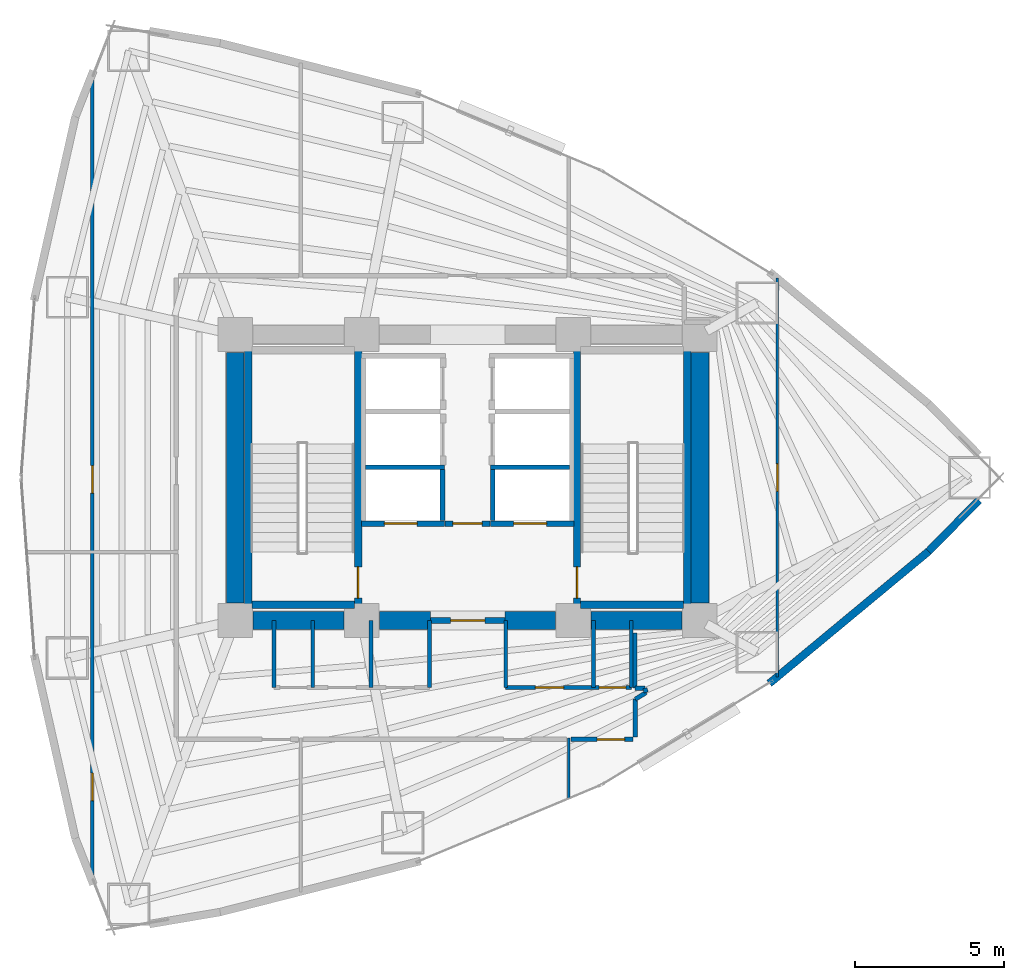
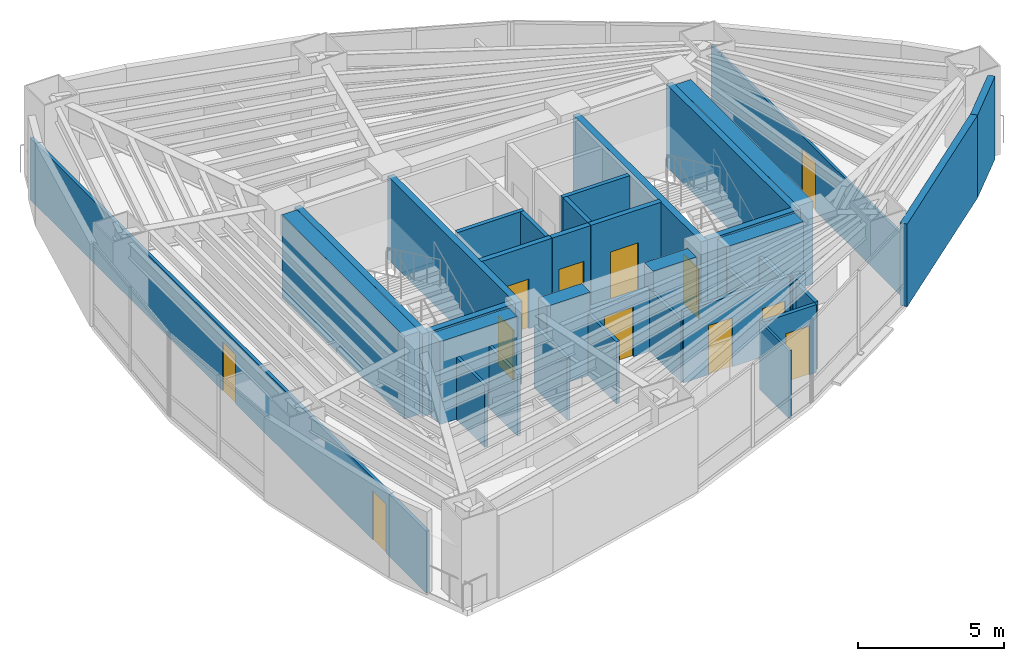
# One storey, part 14 of 17: 39 walls, 12 doors, 12 openings.
"""IFC4 building model written with IfcOpenShell, lengths in metres."""

from ifc_helpers import new_model, si_unit, direction, frame, frame_2d, origin, place, context, subcontext, project, spatial, rectangle, extrude, material, layer, layer_set, type_object, element, fill, save


model = new_model("IFC4")

# Units and contexts
model_context = context("Model", 3, precision=1e-05, world=origin(), true_north=direction((0.0, 1.0)))
body_context = subcontext(model_context, "Body", "Model", "MODEL_VIEW")
ifc_project = project(units=[si_unit("LENGTHUNIT", "METRE"), si_unit("AREAUNIT", "SQUARE_METRE"), si_unit("VOLUMEUNIT", "CUBIC_METRE"), si_unit("PLANEANGLEUNIT", "RADIAN"), si_unit("MASSUNIT", "GRAM", prefix="KILO")], contexts=[model_context])

# Site, building, storey
site_placement = place(None, origin())
site = spatial("IfcSite", under=ifc_project, at=site_placement, CompositionType="ELEMENT")
building_placement = place(site_placement, origin())
building = spatial("IfcBuilding", under=site, at=building_placement, Name="Menara Vayukalpa", CompositionType="ELEMENT")
storey_placement = place(building_placement, frame((0.0, 0.0, 46.199951171875)))
storey = spatial("IfcBuildingStorey", under=building, at=storey_placement, Name="L10", CompositionType="ELEMENT", Elevation=46.199951171875)

# Walls
ifc_material_1 = material(Name="Concrete C70/85", Category="concrete")
ifc_layer_1 = layer(ifc_material_1, 0.60009765625)
ifc_layer_set_1 = layer_set([ifc_layer_1], Name="Concrete C70/85")
wall_type_1 = type_object("IfcWallType", Name="WAL-CW600", PredefinedType="SHEAR", material=ifc_layer_set_1)
wall_1_placement = place(storey_placement, frame((18.39501953125, 17.199951171875, 0.0), z_axis=(0.0, 0.0, 1.0), x_axis=(1.0, 0.0, 0.0)))
element("IfcWall", 1, at=wall_1_placement, inside=storey, type_object=wall_type_1, Name="L10 Buttressed Core Shear Wall CWS1", PredefinedType="SHEAR", context=body_context, shape_type="SweptSolid", body=[
    extrude(rectangle(XDim=3.06005859375, YDim=0.60009765625, at=frame_2d((1.530029296875, 0.0))), origin(), (0.0, 0.0, 1.0), 3.469970703125),
])
wall_2_placement = place(storey_placement, frame((22.64501953125, 17.199951171875, 0.0), z_axis=(0.0, 0.0, 1.0), x_axis=(1.0, 0.0, 0.0)))
element("IfcWall", 2, at=wall_2_placement, inside=storey, type_object=wall_type_1, Name="L10 Buttressed Core Shear Wall CWS2", PredefinedType="SHEAR", context=body_context, shape_type="SweptSolid", body=[
    extrude(rectangle(XDim=1.705078125, YDim=0.60009765625, at=frame_2d((0.8525390625, 0.0))), origin(), (0.0, 0.0, 1.0), 3.469970703125),
])
wall_3_placement = place(storey_placement, frame((26.85009765625, 17.199951171875, 0.0), z_axis=(0.0, 0.0, 1.0), x_axis=(1.0, 0.0, 0.0)))
element("IfcWall", 3, at=wall_3_placement, inside=storey, type_object=wall_type_1, Name="L10 Buttressed Core Shear Wall CWS3", PredefinedType="SHEAR", context=body_context, shape_type="SweptSolid", body=[
    extrude(rectangle(XDim=1.704833984375, YDim=0.60009765625, at=frame_2d((0.8525390625, 0.0))), origin(), (0.0, 0.0, 1.0), 3.469970703125),
])
wall_4_placement = place(storey_placement, frame((29.7451171875, 17.199951171875, 0.0), z_axis=(0.0, 0.0, 1.0), x_axis=(1.0, 0.0, 0.0)))
element("IfcWall", 4, at=wall_4_placement, inside=storey, type_object=wall_type_1, Name="L10 Buttressed Core Shear Wall CWS4", PredefinedType="SHEAR", context=body_context, shape_type="SweptSolid", body=[
    extrude(rectangle(XDim=3.059814453125, YDim=0.60009765625, at=frame_2d((1.52978515625, 0.0))), origin(), (0.0, 0.0, 1.0), 3.469970703125),
])
for number, where, z_axis, x_axis, name in (
    (5, (17.800048828125, 17.794921875, 0.0), (0.0, 0.0, 1.0), (0.0, 1.0, 0.0), "L10 Buttressed Core Shear Wall CWW1"),
    (6, (33.39990234375, 17.794921875, 0.0), (0.0, 0.0, 1.0), (0.0, 1.0, 0.0), "L10 Buttressed Core Shear Wall CWE1"),
):
    element("IfcWall", number, at=place(storey_placement, frame(where, z_axis=z_axis, x_axis=x_axis)), inside=storey, type_object=wall_type_1, Name=name, PredefinedType="SHEAR", context=body_context, shape_type="SweptSolid", body=[
        extrude(rectangle(XDim=8.41015625, YDim=0.60009765625, at=frame_2d((4.205078125, 0.0))), origin(), (0.0, 0.0, 1.0), 3.469970703125),
    ])
ifc_material_2 = material(Name="Insulated Precast Concrete C40/50", Category="concrete")
ifc_layer_2 = layer(ifc_material_2, 0.260009765625)
ifc_layer_set_2 = layer_set([ifc_layer_2], Name="Insulated Precast Concrete C40/50")
wall_type_2 = type_object("IfcWallType", Name="WAL-EXT260", PredefinedType="PARTITIONING", material=ifc_layer_set_2)
wall_5_placement = place(storey_placement, frame((42.770263671875, 21.24169921875, 0.0), z_axis=(0.0, 0.0, 1.0), x_axis=(-0.70059851419, -0.713555689427, 0.0)))
element("IfcWall", 7, at=wall_5_placement, inside=storey, type_object=wall_type_2, Name="L10 Perimeter Terracotta Pier Wall 01", PredefinedType="PARTITIONING", context=body_context, shape_type="SweptSolid", body=[
    extrude(rectangle(XDim=2.411865234375, YDim=0.260009765625, at=frame_2d((1.2060546875, 0.0))), origin(), (0.0, 0.0, 1.0), 3.469970703125),
])
wall_6_placement = place(storey_placement, frame((41.08935546875, 19.52880859375, 0.0), z_axis=(0.0, 0.0, 1.0), x_axis=(-0.769754596928, -0.638339925517, 0.0)))
element("IfcWall", 8, at=wall_6_placement, inside=storey, type_object=wall_type_2, Name="L10 Perimeter Terracotta Pier Wall 18", PredefinedType="PARTITIONING", context=body_context, shape_type="SweptSolid", body=[
    extrude(rectangle(XDim=6.959228515625, YDim=0.260009765625, at=frame_2d((3.4794921875, 0.0))), origin(), (0.0, 0.0, 1.0), 3.469970703125),
])
ifc_material_3 = material(Name="Lightweight Concrete Blockwork C16/20", Category="masonry")
ifc_layer_3 = layer(ifc_material_3, 0.159912109375)
ifc_layer_set_3 = layer_set([ifc_layer_3], Name="Lightweight Concrete Blockwork C16/20")
wall_type_3 = type_object("IfcWallType", Name="WAL-FR150", PredefinedType="PARTITIONING", material=ifc_layer_set_3)
wall_7_placement = place(storey_placement, frame((24.7548828125, 20.56005859375, 0.0), z_axis=(0.0, 0.0, 1.0), x_axis=(0.0, 1.0, 0.0)))
element("IfcWall", 9, at=wall_7_placement, inside=storey, type_object=wall_type_3, Name="L10 Interior Partition IW-L10-SHW-W1E", PredefinedType="PARTITIONING", context=body_context, shape_type="SweptSolid", body=[
    extrude(rectangle(XDim=1.7099609375, YDim=0.159912109375, at=frame_2d((0.85498046875, 0.0))), origin(), (0.0, 0.0, 1.0), 3.469970703125),
])
wall_8_placement = place(storey_placement, frame((22.179931640625, 22.344970703125, 0.0), z_axis=(0.0, 0.0, 1.0), x_axis=(1.0, 0.0, 0.0)))
element("IfcWall", 10, at=wall_8_placement, inside=storey, type_object=wall_type_3, Name="L10 Interior Partition IW-L10-SHM-W12", PredefinedType="PARTITIONING", context=body_context, shape_type="SweptSolid", body=[
    extrude(rectangle(XDim=2.650146484375, YDim=0.159912109375, at=frame_2d((1.3251953125, 0.0))), origin(), (0.0, 0.0, 1.0), 3.469970703125),
])
wall_9_placement = place(storey_placement, frame((26.445068359375, 20.56005859375, 0.0), z_axis=(0.0, 0.0, 1.0), x_axis=(0.0, 1.0, 0.0)))
element("IfcWall", 11, at=wall_9_placement, inside=storey, type_object=wall_type_3, Name="L10 Interior Partition IW-L10-SHW-E1W", PredefinedType="PARTITIONING", context=body_context, shape_type="SweptSolid", body=[
    extrude(rectangle(XDim=1.7099609375, YDim=0.159912109375, at=frame_2d((0.85498046875, 0.0))), origin(), (0.0, 0.0, 1.0), 3.469970703125),
])
wall_10_placement = place(storey_placement, frame((26.3701171875, 22.344970703125, 0.0), z_axis=(0.0, 0.0, 1.0), x_axis=(1.0, 0.0, 0.0)))
element("IfcWall", 12, at=wall_10_placement, inside=storey, type_object=wall_type_3, Name="L10 Interior Partition IW-L10-SHM-E13", PredefinedType="PARTITIONING", context=body_context, shape_type="SweptSolid", body=[
    extrude(rectangle(XDim=2.64990234375, YDim=0.159912109375, at=frame_2d((1.324951171875, 0.0))), origin(), (0.0, 0.0, 1.0), 3.469970703125),
])

# Wall, opening, door
ifc_material_4 = material(Name="Lightweight Concrete Blockwork C16/20", Category="masonry")
ifc_layer_4 = layer(ifc_material_4, 0.199951171875)
ifc_layer_set_4 = layer_set([ifc_layer_4], Name="Lightweight Concrete Blockwork C16/20")
wall_type_4 = type_object("IfcWallType", Name="WAL-FR200", PredefinedType="PARTITIONING", material=ifc_layer_set_4)
wall_11_placement = place(storey_placement, frame((24.35009765625, 17.199951171875, 0.0), z_axis=(0.0, 0.0, 1.0), x_axis=(1.0, 0.0, 0.0)))
wall_11 = element("IfcWall", 13, at=wall_11_placement, inside=storey, type_object=wall_type_4, Name="L10 Interior Partition IW-L10-FFLS", PredefinedType="PARTITIONING", context=body_context, shape_type="SweptSolid", body=[
    extrude(rectangle(XDim=2.5, YDim=0.199951171875, at=frame_2d((1.25, 0.0))), origin(), (0.0, 0.0, 1.0), 2.60009765625),
])
opening_1_placement = place(wall_11_placement, frame((0.679931640625, 0.0, 0.0)))
opening_1 = element("IfcOpeningElement", 14, at=opening_1_placement, cuts=wall_11, Name="Opening ID2", PredefinedType="OPENING", context=body_context, shape_type="SweptSolid", body=[
    extrude(rectangle(XDim=1.14990234375, YDim=2.080078125, at=frame_2d((0.574951171875, 1.0400390625))), frame((0.0, 0.10986328125, 0.0), z_axis=(0.0, -1.0, 0.0), x_axis=(1.0, 0.0, 0.0)), (0.0, 0.0, 1.0), 0.219970703125),
])
ifc_material_5 = material(Name="Fire-Rated Powder-Coated Steel Door", Category="steel")
door_type_1 = type_object("IfcDoorType", Name="DR-FD60W", OperationType="NOTDEFINED", PredefinedType="DOOR", material=ifc_material_5)
door_1_placement = place(opening_1_placement, origin())
door_1 = element("IfcDoor", 15, at=door_1_placement, inside=storey, type_object=door_type_1, Name="L10 Interior Door DR-L10-FFLS", OperationType="SINGLE_SWING_LEFT", OverallHeight=2.080078125, OverallWidth=1.14990234375, PredefinedType="DOOR", context=body_context, shape_type="SweptSolid", body=[
    extrude(rectangle(XDim=1.14990234375, YDim=2.080078125, at=frame_2d((0.574951171875, 1.0400390625))), frame((0.0, 0.02490234375, 0.0), z_axis=(0.0, -1.0, 0.0), x_axis=(1.0, 0.0, 0.0)), (0.0, 0.0, 1.0), 0.050048828125),
])
fill(opening_1, door_1)

wall_12_placement = place(storey_placement, frame((24.840087890625, 20.449951171875, 0.0), z_axis=(0.0, 0.0, 1.0), x_axis=(1.0, 0.0, 0.0)))
wall_12 = element("IfcWall", 16, at=wall_12_placement, inside=storey, type_object=wall_type_4, Name="L10 Interior Partition IW-L10-FFLN", PredefinedType="PARTITIONING", context=body_context, shape_type="SweptSolid", body=[
    extrude(rectangle(XDim=1.52001953125, YDim=0.199951171875, at=frame_2d((0.760009765625, 0.0))), origin(), (0.0, 0.0, 1.0), 3.469970703125),
])
opening_2_placement = place(wall_12_placement, frame((0.27001953125, 0.0, 0.0)))
opening_2 = element("IfcOpeningElement", 17, at=opening_2_placement, cuts=wall_12, Name="Opening ID3", PredefinedType="OPENING", context=body_context, shape_type="SweptSolid", body=[
    extrude(rectangle(XDim=0.97998046875, YDim=2.06005859375, at=frame_2d((0.489990234375, 1.030029296875))), frame((0.0, 0.10986328125, 0.0), z_axis=(0.0, -1.0, 0.0), x_axis=(1.0, 0.0, 0.0)), (0.0, 0.0, 1.0), 0.219970703125),
])
ifc_material_6 = material(Name="Fire-Rated Powder-Coated Steel Door", Category="steel")
door_type_2 = type_object("IfcDoorType", Name="DR-FD60", OperationType="NOTDEFINED", PredefinedType="DOOR", material=ifc_material_6)
door_2_placement = place(opening_2_placement, origin())
door_2 = element("IfcDoor", 18, at=door_2_placement, inside=storey, type_object=door_type_2, Name="L10 Interior Door DR-L10-FFLN", OperationType="SINGLE_SWING_RIGHT", OverallHeight=2.06005859375, OverallWidth=0.97998046875, PredefinedType="DOOR", context=body_context, shape_type="SweptSolid", body=[
    extrude(rectangle(XDim=0.97998046875, YDim=2.06005859375, at=frame_2d((0.489990234375, 1.030029296875))), frame((0.0, 0.02490234375, 0.0), z_axis=(0.0, -1.0, 0.0), x_axis=(1.0, 0.0, 0.0)), (0.0, 0.0, 1.0), 0.050048828125),
])
fill(opening_2, door_2)

wall_13_placement = place(storey_placement, frame((22.030029296875, 20.449951171875, 0.0), z_axis=(0.0, 0.0, 1.0), x_axis=(1.0, 0.0, 0.0)))
wall_13 = element("IfcWall", 19, at=wall_13_placement, inside=storey, type_object=wall_type_4, Name="L10 Interior Partition IW-L10-SH-W1", PredefinedType="PARTITIONING", context=body_context, shape_type="SweptSolid", body=[
    extrude(rectangle(XDim=2.800048828125, YDim=0.199951171875, at=frame_2d((1.39990234375, 0.0))), origin(), (0.0, 0.0, 1.0), 3.469970703125),
])
opening_3_placement = place(wall_13_placement, frame((0.780029296875, 0.0, 0.0)))
opening_3 = element("IfcOpeningElement", 20, at=opening_3_placement, cuts=wall_13, Name="Opening LD1", PredefinedType="OPENING", context=body_context, shape_type="SweptSolid", body=[
    extrude(rectangle(XDim=1.10009765625, YDim=2.080078125, at=frame_2d((0.550048828125, 1.0400390625))), frame((0.0, 0.10986328125, 0.0), z_axis=(0.0, -1.0, 0.0), x_axis=(1.0, 0.0, 0.0)), (0.0, 0.0, 1.0), 0.219970703125),
])
ifc_material_7 = material(Name="Brushed Stainless Steel 316 Lift Door", Category="steel")
door_type_3 = type_object("IfcDoorType", Name="DR-LD110", OperationType="NOTDEFINED", PredefinedType="DOOR", material=ifc_material_7)
door_3_placement = place(opening_3_placement, origin())
door_3 = element("IfcDoor", 21, at=door_3_placement, inside=storey, type_object=door_type_3, Name="L10 Interior Door DR-L10-LD-W1", OperationType="DOUBLE_DOOR_SLIDING", OverallHeight=2.080078125, OverallWidth=1.10009765625, PredefinedType="DOOR", context=body_context, shape_type="SweptSolid", body=[
    extrude(rectangle(XDim=1.10009765625, YDim=2.080078125, at=frame_2d((0.550048828125, 1.0400390625))), frame((0.0, 0.02490234375, 0.0), z_axis=(0.0, -1.0, 0.0), x_axis=(1.0, 0.0, 0.0)), (0.0, 0.0, 1.0), 0.050048828125),
])
fill(opening_3, door_3)

wall_14_placement = place(storey_placement, frame((26.3701171875, 20.449951171875, 0.0), z_axis=(0.0, 0.0, 1.0), x_axis=(1.0, 0.0, 0.0)))
wall_14 = element("IfcWall", 22, at=wall_14_placement, inside=storey, type_object=wall_type_4, Name="L10 Interior Partition IW-L10-SH-E1", PredefinedType="PARTITIONING", context=body_context, shape_type="SweptSolid", body=[
    extrude(rectangle(XDim=2.7998046875, YDim=0.199951171875, at=frame_2d((1.39990234375, 0.0))), origin(), (0.0, 0.0, 1.0), 3.469970703125),
])
opening_4_placement = place(wall_14_placement, frame((0.780029296875, 0.0, 0.0)))
opening_4 = element("IfcOpeningElement", 23, at=opening_4_placement, cuts=wall_14, Name="Opening LD1", PredefinedType="OPENING", context=body_context, shape_type="SweptSolid", body=[
    extrude(rectangle(XDim=1.10009765625, YDim=2.080078125, at=frame_2d((0.550048828125, 1.0400390625))), frame((0.0, 0.10986328125, 0.0), z_axis=(0.0, -1.0, 0.0), x_axis=(1.0, 0.0, 0.0)), (0.0, 0.0, 1.0), 0.219970703125),
])
door_4_placement = place(opening_4_placement, origin())
door_4 = element("IfcDoor", 24, at=door_4_placement, inside=storey, type_object=door_type_3, Name="L10 Interior Door DR-L10-LD-E1", OperationType="DOUBLE_DOOR_SLIDING", OverallHeight=2.080078125, OverallWidth=1.10009765625, PredefinedType="DOOR", context=body_context, shape_type="SweptSolid", body=[
    extrude(rectangle(XDim=1.10009765625, YDim=2.080078125, at=frame_2d((0.550048828125, 1.0400390625))), frame((0.0, 0.02490234375, 0.0), z_axis=(0.0, -1.0, 0.0), x_axis=(1.0, 0.0, 0.0)), (0.0, 0.0, 1.0), 0.050048828125),
])
fill(opening_4, door_4)

# Wall
ifc_material_8 = material(Name="Glazed Demountable Office Partition", Category="glass")
ifc_layer_5 = layer(ifc_material_8, 0.094970703125)
ifc_layer_set_5 = layer_set([ifc_layer_5], Name="Glazed Demountable Office Partition")
wall_type_5 = type_object("IfcWallType", Name="WAL-PT100", PredefinedType="PARTITIONING", material=ifc_layer_set_5)
wall_15_placement = place(storey_placement, frame((29.0, 11.211669921875, 0.0), z_axis=(0.0, 0.0, 1.0), x_axis=(0.0, 1.0, 0.0)))
element("IfcWall", 25, at=wall_15_placement, inside=storey, type_object=wall_type_5, Name="L10 Interior Partition IW-L10-RDIV04", PredefinedType="PARTITIONING", context=body_context, shape_type="SweptSolid", body=[
    extrude(rectangle(XDim=2.04833984375, YDim=0.094970703125, at=frame_2d((1.024169921875, 0.0))), origin(), (0.0, 0.0, 1.0), 2.85009765625),
])

# Wall, opening, door
wall_16_placement = place(storey_placement, frame((36.0, 15.295166015625, 0.0), z_axis=(0.0, 0.0, 1.0), x_axis=(0.0, 1.0, 0.0)))
wall_16 = element("IfcWall", 26, at=wall_16_placement, inside=storey, type_object=wall_type_5, Name="L10 Interior Partition IW-L10-RDIV06", PredefinedType="PARTITIONING", context=body_context, shape_type="SweptSolid", body=[
    extrude(rectangle(XDim=13.40966796875, YDim=0.094970703125, at=frame_2d((6.704833984375, 0.0))), origin(), (0.0, 0.0, 1.0), 2.60009765625),
])
opening_5_placement = place(wall_16_placement, frame((6.244873046875, 0.0, 0.0)))
opening_5 = element("IfcOpeningElement", 27, at=opening_5_placement, cuts=wall_16, Name="Opening ID6", PredefinedType="OPENING", context=body_context, shape_type="SweptSolid", body=[
    extrude(rectangle(XDim=0.919921875, YDim=2.050048828125, at=frame_2d((0.4599609375, 1.02490234375))), frame((0.0, 0.057373046875, 0.0), z_axis=(0.0, -1.0, 0.0), x_axis=(1.0, 0.0, 0.0)), (0.0, 0.0, 1.0), 0.114990234375),
])
ifc_material_9 = material(Name="Acoustic Hardwood Veneer Timber Door", Category="wood")
door_type_4 = type_object("IfcDoorType", Name="DR-INT92", OperationType="NOTDEFINED", PredefinedType="DOOR", material=ifc_material_9)
door_5_placement = place(opening_5_placement, origin())
door_5 = element("IfcDoor", 28, at=door_5_placement, inside=storey, type_object=door_type_4, Name="L10 Interior Door DR-L10-STE05", OperationType="SINGLE_SWING_LEFT", OverallHeight=2.050048828125, OverallWidth=0.919921875, PredefinedType="DOOR", context=body_context, shape_type="SweptSolid", body=[
    extrude(rectangle(XDim=0.919921875, YDim=2.050048828125, at=frame_2d((0.4599609375, 1.02490234375))), frame((0.0, 0.02490234375, 0.0), z_axis=(0.0, -1.0, 0.0), x_axis=(1.0, 0.0, 0.0)), (0.0, 0.0, 1.0), 0.050048828125),
])
fill(opening_5, door_5)

# Walls
ifc_material_10 = material(Name="Acoustic Mineral Stud Partition", Category="masonry")
ifc_layer_6 = layer(ifc_material_10, 0.110107421875)
ifc_layer_set_6 = layer_set([ifc_layer_6], Name="Acoustic Mineral Stud Partition")
wall_type_6 = type_object("IfcWallType", Name="WAL-PT110", PredefinedType="PARTITIONING", material=ifc_layer_set_6)
for number, where, z_axis, x_axis, name in (
    (29, (20.39990234375, 14.949951171875, 0.0), (0.0, 0.0, 1.0), (0.0, 1.0, 0.0), "L10 Interior Partition IW-L10-SVCD-02"),
    (30, (26.8798828125, 14.949951171875, 0.0), (0.0, 0.0, 1.0), (0.0, 1.0, 0.0), "L10 Interior Partition IW-L10-SVCD-05"),
):
    element("IfcWall", number, at=place(storey_placement, frame(where, z_axis=z_axis, x_axis=x_axis)), inside=storey, type_object=wall_type_6, Name=name, PredefinedType="PARTITIONING", context=body_context, shape_type="SweptSolid", body=[
        extrude(rectangle(XDim=2.25, YDim=0.110107421875, at=frame_2d((1.125, 0.0))), origin(), (0.0, 0.0, 1.0), 2.60009765625),
    ])
ifc_material_11 = material(Name="Gypsum Drywall Steel Stud Assembly", Category="steel")
ifc_layer_7 = layer(ifc_material_11, 0.125)
ifc_layer_set_7 = layer_set([ifc_layer_7], Name="Gypsum Drywall Steel Stud Assembly")
wall_type_7 = type_object("IfcWallType", Name="WAL-PT125", PredefinedType="PARTITIONING", material=ifc_layer_set_7)
for number, where, z_axis, x_axis, name in (
    (31, (19.10009765625, 14.949951171875, 0.0), (0.0, 0.0, 1.0), (0.0, 1.0, 0.0), "L10 Interior Partition IW-L10-SVCD-01"),
    (32, (22.360107421875, 14.949951171875, 0.0), (0.0, 0.0, 1.0), (0.0, 1.0, 0.0), "L10 Interior Partition IW-L10-SVCD-03"),
    (33, (24.320068359375, 14.949951171875, 0.0), (0.0, 0.0, 1.0), (0.0, 1.0, 0.0), "L10 Interior Partition IW-L10-SVCD-04"),
    (34, (29.830078125, 14.949951171875, 0.0), (0.0, 0.0, 1.0), (0.0, 1.0, 0.0), "L10 Interior Partition IW-L10-SVCD-06"),
    (35, (31.10009765625, 14.949951171875, 0.0), (0.0, 0.0, 1.0), (0.0, 1.0, 0.0), "L10 Interior Partition IW-L10-SVCD-07"),
):
    element("IfcWall", number, at=place(storey_placement, frame(where, z_axis=z_axis, x_axis=x_axis)), inside=storey, type_object=wall_type_7, Name=name, PredefinedType="PARTITIONING", context=body_context, shape_type="SweptSolid", body=[
        extrude(rectangle(XDim=2.25, YDim=0.125, at=frame_2d((1.125, 0.0))), origin(), (0.0, 0.0, 1.0), 2.60009765625),
    ])

# Wall, openings, doors
wall_17_placement = place(storey_placement, frame((13.0, 8.39599609375, 0.0), z_axis=(0.0, 0.0, 1.0), x_axis=(0.0, 1.0, 0.0)))
wall_17 = element("IfcWall", 36, at=wall_17_placement, inside=storey, type_object=wall_type_7, Name="L10 Interior Partition IW-L10-RDIV01", PredefinedType="PARTITIONING", context=body_context, shape_type="SweptSolid", body=[
    extrude(rectangle(XDim=27.2080078125, YDim=0.125, at=frame_2d((13.60400390625, 0.0))), origin(), (0.0, 0.0, 1.0), 2.60009765625),
])
opening_6_placement = place(wall_17_placement, frame((2.759521484375, 0.0, 0.0)))
opening_6 = element("IfcOpeningElement", 37, at=opening_6_placement, cuts=wall_17, Name="Opening ID6", PredefinedType="OPENING", context=body_context, shape_type="SweptSolid", body=[
    extrude(rectangle(XDim=0.919921875, YDim=2.050048828125, at=frame_2d((0.4599609375, 1.02490234375))), frame((0.0, 0.072509765625, 0.0), z_axis=(0.0, -1.0, 0.0), x_axis=(1.0, 0.0, 0.0)), (0.0, 0.0, 1.0), 0.14501953125),
])
opening_7_placement = place(wall_17_placement, frame((13.08447265625, 0.0, 0.0)))
opening_7 = element("IfcOpeningElement", 38, at=opening_7_placement, cuts=wall_17, Name="Opening ID6", PredefinedType="OPENING", context=body_context, shape_type="SweptSolid", body=[
    extrude(rectangle(XDim=0.919921875, YDim=2.050048828125, at=frame_2d((0.4599609375, 1.02490234375))), frame((0.0, 0.072509765625, 0.0), z_axis=(0.0, -1.0, 0.0), x_axis=(1.0, 0.0, 0.0)), (0.0, 0.0, 1.0), 0.14501953125),
])
door_6_placement = place(opening_6_placement, origin())
door_6 = element("IfcDoor", 39, at=door_6_placement, inside=storey, type_object=door_type_4, Name="L10 Interior Door DR-L10-STE01", OperationType="SINGLE_SWING_LEFT", OverallHeight=2.050048828125, OverallWidth=0.919921875, PredefinedType="DOOR", context=body_context, shape_type="SweptSolid", body=[
    extrude(rectangle(XDim=0.919921875, YDim=2.050048828125, at=frame_2d((0.4599609375, 1.02490234375))), frame((0.0, 0.02490234375, 0.0), z_axis=(0.0, -1.0, 0.0), x_axis=(1.0, 0.0, 0.0)), (0.0, 0.0, 1.0), 0.050048828125),
])
fill(opening_6, door_6)
door_7_placement = place(opening_7_placement, origin())
door_7 = element("IfcDoor", 40, at=door_7_placement, inside=storey, type_object=door_type_4, Name="L10 Interior Door DR-L10-STE09", OperationType="SINGLE_SWING_RIGHT", OverallHeight=2.050048828125, OverallWidth=0.919921875, PredefinedType="DOOR", context=body_context, shape_type="SweptSolid", body=[
    extrude(rectangle(XDim=0.919921875, YDim=2.050048828125, at=frame_2d((0.4599609375, 1.02490234375))), frame((0.0, 0.02490234375, 0.0), z_axis=(0.0, -1.0, 0.0), x_axis=(1.0, 0.0, 0.0)), (0.0, 0.0, 1.0), 0.050048828125),
])
fill(opening_7, door_7)

ifc_material_12 = material(Name="Gypsum Drywall Acoustic Stud Assembly", Category="masonry")
ifc_layer_8 = layer(ifc_material_12, 0.14501953125)
ifc_layer_set_8 = layer_set([ifc_layer_8], Name="Gypsum Drywall Acoustic Stud Assembly")
wall_type_8 = type_object("IfcWallType", Name="WAL-PT150", PredefinedType="PARTITIONING", material=ifc_layer_set_8)
wall_18_placement = place(storey_placement, frame((26.8798828125, 14.949951171875, 0.0), z_axis=(0.0, 0.0, 1.0), x_axis=(1.0, 0.0, 0.0)))
wall_18 = element("IfcWall", 41, at=wall_18_placement, inside=storey, type_object=wall_type_8, Name="L10 Interior Partition IW-L10-SVCS-E", PredefinedType="PARTITIONING", context=body_context, shape_type="SweptSolid", body=[
    extrude(rectangle(XDim=4.22021484375, YDim=0.14501953125, at=frame_2d((2.110107421875, 0.0))), origin(), (0.0, 0.0, 1.0), 3.0),
])
opening_8_placement = place(wall_18_placement, frame((0.9951171875, 0.0, 0.0)))
opening_8 = element("IfcOpeningElement", 42, at=opening_8_placement, cuts=wall_18, Name="Opening ID5", PredefinedType="OPENING", context=body_context, shape_type="SweptSolid", body=[
    extrude(rectangle(XDim=0.949951171875, YDim=2.06005859375, at=frame_2d((0.47509765625, 1.030029296875))), frame((0.0, 0.08251953125, 0.0), z_axis=(0.0, -1.0, 0.0), x_axis=(1.0, 0.0, 0.0)), (0.0, 0.0, 1.0), 0.1650390625),
])
opening_9_placement = place(wall_18_placement, frame((3.139892578125, 0.0, 0.0)))
opening_9 = element("IfcOpeningElement", 43, at=opening_9_placement, cuts=wall_18, Name="Opening ID7", PredefinedType="OPENING", context=body_context, shape_type="SweptSolid", body=[
    extrude(rectangle(XDim=0.89990234375, YDim=2.02001953125, at=frame_2d((0.449951171875, 1.010009765625))), frame((0.0, 0.08251953125, 0.0), z_axis=(0.0, -1.0, 0.0), x_axis=(1.0, 0.0, 0.0)), (0.0, 0.0, 1.0), 0.1650390625),
])
ifc_material_13 = material(Name="Acoustic Hardwood Veneer Timber Door", Category="wood")
door_type_5 = type_object("IfcDoorType", Name="DR-INT95", OperationType="NOTDEFINED", PredefinedType="DOOR", material=ifc_material_13)
door_8_placement = place(opening_8_placement, origin())
door_8 = element("IfcDoor", 44, at=door_8_placement, inside=storey, type_object=door_type_5, Name="L10 Interior Door DR-L10-KSV1", OperationType="SINGLE_SWING_RIGHT", OverallHeight=2.06005859375, OverallWidth=0.949951171875, PredefinedType="DOOR", context=body_context, shape_type="SweptSolid", body=[
    extrude(rectangle(XDim=0.949951171875, YDim=2.06005859375, at=frame_2d((0.47509765625, 1.030029296875))), frame((0.0, 0.02490234375, 0.0), z_axis=(0.0, -1.0, 0.0), x_axis=(1.0, 0.0, 0.0)), (0.0, 0.0, 1.0), 0.050048828125),
])
fill(opening_8, door_8)
ifc_material_14 = material(Name="Powder-Coated Steel Riser Access Door", Category="steel")
door_type_6 = type_object("IfcDoorType", Name="DR-RISER", OperationType="NOTDEFINED", PredefinedType="DOOR", material=ifc_material_14)
door_9_placement = place(opening_9_placement, origin())
door_9 = element("IfcDoor", 45, at=door_9_placement, inside=storey, type_object=door_type_6, Name="L10 Interior Door DR-L10-SMD", OperationType="SINGLE_SWING_LEFT", OverallHeight=2.02001953125, OverallWidth=0.89990234375, PredefinedType="DOOR", context=body_context, shape_type="SweptSolid", body=[
    extrude(rectangle(XDim=0.89990234375, YDim=2.02001953125, at=frame_2d((0.449951171875, 1.010009765625))), frame((0.0, 0.02490234375, 0.0), z_axis=(0.0, -1.0, 0.0), x_axis=(1.0, 0.0, 0.0)), (0.0, 0.0, 1.0), 0.050048828125),
])
fill(opening_9, door_9)

# Wall, opening, door
wall_19_placement = place(storey_placement, frame((29.070068359375, 13.2099609375, 0.0), z_axis=(0.0, 0.0, 1.0), x_axis=(1.0, 0.0, 0.0)))
wall_19 = element("IfcWall", 46, at=wall_19_placement, inside=storey, type_object=wall_type_8, Name="L10 Interior Partition IW-L10-CRM06-1", PredefinedType="PARTITIONING", context=body_context, shape_type="SweptSolid", body=[
    extrude(rectangle(XDim=2.079833984375, YDim=0.14501953125, at=frame_2d((1.0400390625, 0.0))), origin(), (0.0, 0.0, 1.0), 2.85009765625),
])
opening_10_placement = place(wall_19_placement, frame((0.8798828125, 0.0, 0.0)))
opening_10 = element("IfcOpeningElement", 47, at=opening_10_placement, cuts=wall_19, Name="Opening ID6", PredefinedType="OPENING", context=body_context, shape_type="SweptSolid", body=[
    extrude(rectangle(XDim=0.919921875, YDim=2.050048828125, at=frame_2d((0.4599609375, 1.02490234375))), frame((0.0, 0.08251953125, 0.0), z_axis=(0.0, -1.0, 0.0), x_axis=(1.0, 0.0, 0.0)), (0.0, 0.0, 1.0), 0.1650390625),
])
door_10_placement = place(opening_10_placement, origin())
door_10 = element("IfcDoor", 48, at=door_10_placement, inside=storey, type_object=door_type_4, Name="L10 Interior Door DR-L10-RM06", OperationType="SINGLE_SWING_RIGHT", OverallHeight=2.050048828125, OverallWidth=0.919921875, PredefinedType="DOOR", context=body_context, shape_type="SweptSolid", body=[
    extrude(rectangle(XDim=0.919921875, YDim=2.050048828125, at=frame_2d((0.4599609375, 1.02490234375))), frame((0.0, 0.02490234375, 0.0), z_axis=(0.0, -1.0, 0.0), x_axis=(1.0, 0.0, 0.0)), (0.0, 0.0, 1.0), 0.050048828125),
])
fill(opening_10, door_10)

# Walls
wall_20_placement = place(storey_placement, frame((31.22998046875, 13.2900390625, 0.0), z_axis=(0.0, 0.0, 1.0), x_axis=(0.0, 1.0, 0.0)))
element("IfcWall", 49, at=wall_20_placement, inside=storey, type_object=wall_type_8, Name="L10 Interior Partition IW-L10-CRM06-2", PredefinedType="PARTITIONING", context=body_context, shape_type="SweptSolid", body=[
    extrude(rectangle(XDim=1.26806640625, YDim=0.14501953125, at=frame_2d((0.634033203125, 0.0))), origin(), (0.0, 0.0, 1.0), 2.85009765625),
])
wall_21_placement = place(storey_placement, frame((31.22998046875, 14.55810546875, 0.0), z_axis=(0.0, 0.0, 1.0), x_axis=(0.854931196424, 0.518741408971, 0.0)))
element("IfcWall", 50, at=wall_21_placement, inside=storey, type_object=wall_type_8, Name="L10 Interior Partition IW-L10-CRM06-3", PredefinedType="PARTITIONING", context=body_context, shape_type="SweptSolid", body=[
    extrude(rectangle(XDim=0.4306640625, YDim=0.14501953125, at=frame_2d((0.21533203125, 0.0))), origin(), (0.0, 0.0, 1.0), 3.0),
])
wall_22_placement = place(storey_placement, frame((31.556640625, 14.929931640625, 0.0), z_axis=(0.0, 0.0, 1.0), x_axis=(-1.0, 0.0, 0.0)))
element("IfcWall", 51, at=wall_22_placement, inside=storey, type_object=wall_type_8, Name="L10 Interior Partition IW-L10-CRM06-4", PredefinedType="PARTITIONING", context=body_context, shape_type="SweptSolid", body=[
    extrude(rectangle(XDim=0.336669921875, YDim=0.14501953125, at=frame_2d((0.16845703125, 0.0))), origin(), (0.0, 0.0, 1.0), 3.0),
])
wall_23_placement = place(storey_placement, frame((31.219970703125, 14.929931640625, 0.0), z_axis=(0.0, 0.0, 1.0), x_axis=(0.0, 1.0, 0.0)))
element("IfcWall", 52, at=wall_23_placement, inside=storey, type_object=wall_type_8, Name="L10 Interior Partition IW-L10-CRM06-5", PredefinedType="PARTITIONING", context=body_context, shape_type="SweptSolid", body=[
    extrude(rectangle(XDim=1.85009765625, YDim=0.14501953125, at=frame_2d((0.925048828125, 0.0))), origin(), (0.0, 0.0, 1.0), 2.60009765625),
])
wall_24_placement = place(storey_placement, frame((31.59814453125, 14.781494140625, 0.0), z_axis=(0.0, 0.0, 1.0), x_axis=(-0.269277388617, 0.963062660464, 0.0)))
element("IfcWall", 53, at=wall_24_placement, inside=storey, type_object=wall_type_8, Name="L10 Interior Partition IW-L10-CRM06-3-R1", PredefinedType="PARTITIONING", context=body_context, shape_type="SweptSolid", body=[
    extrude(rectangle(XDim=0.154052734375, YDim=0.14501953125, at=frame_2d((0.0771484375, 0.0))), origin(), (0.0, 0.0, 1.0), 3.0),
])
ifc_material_15 = material(Name="Concrete C50/60", Category="concrete")
ifc_layer_9 = layer(ifc_material_15, 0.25)
ifc_layer_set_9 = layer_set([ifc_layer_9], Name="Concrete C50/60")
wall_type_9 = type_object("IfcWallType", Name="WAL-SW250", PredefinedType="SHEAR", material=ifc_layer_set_9)
wall_25_placement = place(storey_placement, frame((18.22900390625, 17.60009765625, 0.0), z_axis=(0.0, 0.0, 1.0), x_axis=(0.0, 1.0, 0.0)))
element("IfcWall", 54, at=wall_25_placement, inside=storey, type_object=wall_type_9, Name="L10 ST1 Structural Stair Shaft Wall W", PredefinedType="SHEAR", context=body_context, shape_type="SweptSolid", body=[
    extrude(rectangle(XDim=8.7998046875, YDim=0.25, at=frame_2d((4.39990234375, 0.0))), origin(), (0.0, 0.0, 1.0), 3.469970703125),
])

# Wall, opening, door
wall_26_placement = place(storey_placement, frame((21.925048828125, 17.60009765625, 0.0), z_axis=(0.0, 0.0, 1.0), x_axis=(0.0, 1.0, 0.0)))
wall_26 = element("IfcWall", 55, at=wall_26_placement, inside=storey, type_object=wall_type_9, Name="L10 ST1 Structural Stair Shaft Wall E", PredefinedType="SHEAR", context=body_context, shape_type="SweptSolid", body=[
    extrude(rectangle(XDim=8.7998046875, YDim=0.25, at=frame_2d((4.39990234375, 0.0))), origin(), (0.0, 0.0, 1.0), 3.469970703125),
])
opening_11_placement = place(wall_26_placement, frame((0.35009765625, 0.0, 0.0)))
opening_11 = element("IfcOpeningElement", 56, at=opening_11_placement, cuts=wall_26, Name="Opening ID1", PredefinedType="OPENING", context=body_context, shape_type="SweptSolid", body=[
    extrude(rectangle(XDim=1.050048828125, YDim=2.080078125, at=frame_2d((0.52490234375, 1.0400390625))), frame((0.0, 0.135009765625, 0.0), z_axis=(0.0, -1.0, 0.0), x_axis=(1.0, 0.0, 0.0)), (0.0, 0.0, 1.0), 0.27001953125),
])
ifc_material_16 = material(Name="Fire-Rated Powder-Coated Steel Door", Category="steel")
door_type_7 = type_object("IfcDoorType", Name="DR-FD120", OperationType="NOTDEFINED", PredefinedType="DOOR", material=ifc_material_16)
door_11_placement = place(opening_11_placement, origin())
door_11 = element("IfcDoor", 57, at=door_11_placement, inside=storey, type_object=door_type_7, Name="L10 Stair Exit Door DR-L10-ST1", OperationType="SINGLE_SWING_LEFT", OverallHeight=2.080078125, OverallWidth=1.050048828125, PredefinedType="DOOR", context=body_context, shape_type="SweptSolid", body=[
    extrude(rectangle(XDim=1.050048828125, YDim=2.080078125, at=frame_2d((0.52490234375, 1.0400390625))), frame((0.0, 0.02490234375, 0.0), z_axis=(0.0, -1.0, 0.0), x_axis=(1.0, 0.0, 0.0)), (0.0, 0.0, 1.0), 0.050048828125),
])
fill(opening_11, door_11)

# Wall
wall_27_placement = place(storey_placement, frame((18.35400390625, 17.72509765625, 0.0), z_axis=(0.0, 0.0, 1.0), x_axis=(1.0, 0.0, 0.0)))
element("IfcWall", 58, at=wall_27_placement, inside=storey, type_object=wall_type_9, Name="L10 ST1 Structural Stair Shaft Wall S", PredefinedType="SHEAR", context=body_context, shape_type="SweptSolid", body=[
    extrude(rectangle(XDim=3.446044921875, YDim=0.25, at=frame_2d((1.72314453125, 0.0))), origin(), (0.0, 0.0, 1.0), 3.469970703125),
])

# Wall, opening, door
wall_28_placement = place(storey_placement, frame((29.27490234375, 17.60009765625, 0.0), z_axis=(0.0, 0.0, 1.0), x_axis=(0.0, 1.0, 0.0)))
wall_28 = element("IfcWall", 59, at=wall_28_placement, inside=storey, type_object=wall_type_9, Name="L10 ST2 Structural Stair Shaft Wall W", PredefinedType="SHEAR", context=body_context, shape_type="SweptSolid", body=[
    extrude(rectangle(XDim=8.7998046875, YDim=0.25, at=frame_2d((4.39990234375, 0.0))), origin(), (0.0, 0.0, 1.0), 3.469970703125),
])
opening_12_placement = place(wall_28_placement, frame((0.35009765625, 0.0, 0.0)))
opening_12 = element("IfcOpeningElement", 60, at=opening_12_placement, cuts=wall_28, Name="Opening ID1", PredefinedType="OPENING", context=body_context, shape_type="SweptSolid", body=[
    extrude(rectangle(XDim=1.050048828125, YDim=2.080078125, at=frame_2d((0.52490234375, 1.0400390625))), frame((0.0, 0.135009765625, 0.0), z_axis=(0.0, -1.0, 0.0), x_axis=(1.0, 0.0, 0.0)), (0.0, 0.0, 1.0), 0.27001953125),
])
door_12_placement = place(opening_12_placement, origin())
door_12 = element("IfcDoor", 61, at=door_12_placement, inside=storey, type_object=door_type_7, Name="L10 Stair Exit Door DR-L10-ST2", OperationType="SINGLE_SWING_RIGHT", OverallHeight=2.080078125, OverallWidth=1.050048828125, PredefinedType="DOOR", context=body_context, shape_type="SweptSolid", body=[
    extrude(rectangle(XDim=1.050048828125, YDim=2.080078125, at=frame_2d((0.52490234375, 1.0400390625))), frame((0.0, 0.02490234375, 0.0), z_axis=(0.0, -1.0, 0.0), x_axis=(1.0, 0.0, 0.0)), (0.0, 0.0, 1.0), 0.050048828125),
])
fill(opening_12, door_12)

# Walls
wall_29_placement = place(storey_placement, frame((32.970947265625, 17.60009765625, 0.0), z_axis=(0.0, 0.0, 1.0), x_axis=(0.0, 1.0, 0.0)))
element("IfcWall", 62, at=wall_29_placement, inside=storey, type_object=wall_type_9, Name="L10 ST2 Structural Stair Shaft Wall E", PredefinedType="SHEAR", context=body_context, shape_type="SweptSolid", body=[
    extrude(rectangle(XDim=8.7998046875, YDim=0.25, at=frame_2d((4.39990234375, 0.0))), origin(), (0.0, 0.0, 1.0), 3.469970703125),
])
wall_30_placement = place(storey_placement, frame((29.39990234375, 17.72509765625, 0.0), z_axis=(0.0, 0.0, 1.0), x_axis=(1.0, 0.0, 0.0)))
element("IfcWall", 63, at=wall_30_placement, inside=storey, type_object=wall_type_9, Name="L10 ST2 Structural Stair Shaft Wall S", PredefinedType="SHEAR", context=body_context, shape_type="SweptSolid", body=[
    extrude(rectangle(XDim=3.446044921875, YDim=0.25, at=frame_2d((1.72314453125, 0.0))), origin(), (0.0, 0.0, 1.0), 3.469970703125),
])

save(model, "model.ifc")
